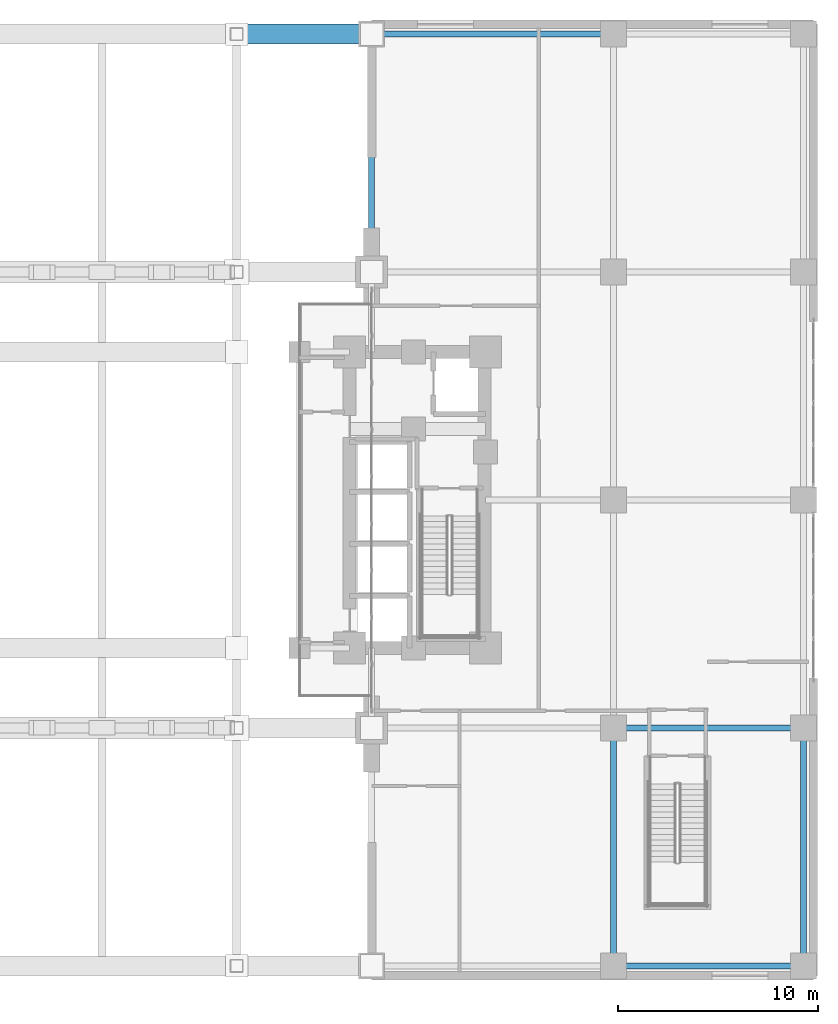
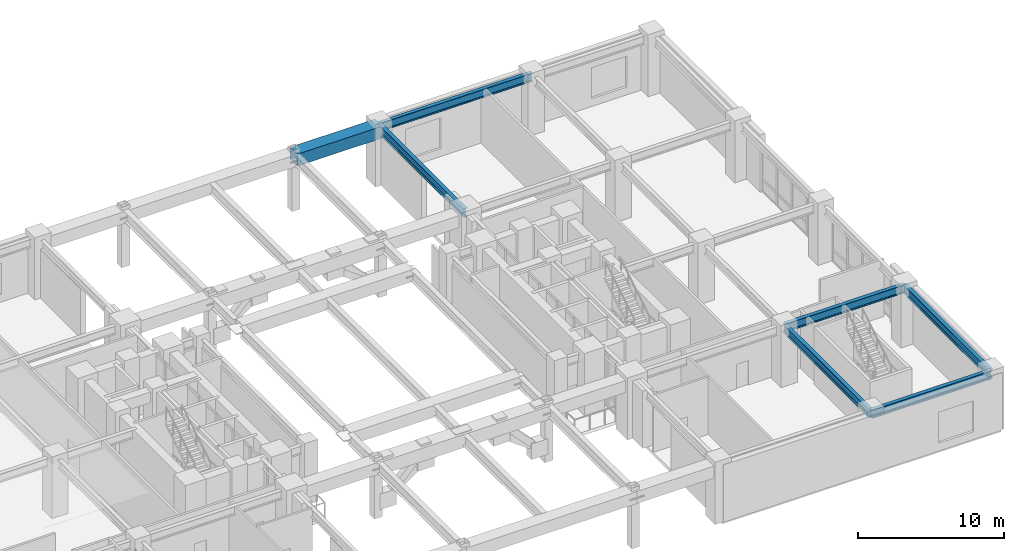
# One storey, part 13 of 26: 7 beams.
"""IFC4 building model written with IfcOpenShell, lengths in metres."""

from ifc_helpers import new_model, si_unit, direction, frame, origin, origin_2d, place, context, subcontext, project, spatial, hollow_rectangle, i_section, extrude, material, material_profile, profile_set, type_object, element, save


model = new_model("IFC4")

# Units and contexts
model_context = context("Model", 3, precision=1e-05, world=origin(), true_north=direction((0.0, 1.0)))
body_context = subcontext(model_context, "Body", "Model", "MODEL_VIEW")
ifc_project = project(units=[si_unit("LENGTHUNIT", "METRE"), si_unit("AREAUNIT", "SQUARE_METRE"), si_unit("VOLUMEUNIT", "CUBIC_METRE"), si_unit("PLANEANGLEUNIT", "RADIAN"), si_unit("MASSUNIT", "GRAM", prefix="KILO")], contexts=[model_context])

# Site, building, storey
site_placement = place(None, origin())
site = spatial("IfcSite", under=ifc_project, at=site_placement, CompositionType="ELEMENT")
building_placement = place(site_placement, origin())
building = spatial("IfcBuilding", under=site, at=building_placement, Name="Voryun Gate Residences", CompositionType="ELEMENT")
storey_placement = place(building_placement, frame((0.0, 0.0, 15.60009765625)))
storey = spatial("IfcBuildingStorey", under=building, at=storey_placement, Name="L03", CompositionType="ELEMENT", Elevation=15.60009765625)

# Beams
ifc_material_1 = material(Name="Steel SM420", Category="steel")
ifc_material_profile_1 = material_profile(ifc_material_1, hollow_rectangle(XDim=1.0, YDim=1.0, WallThickness=0.031982421875, at=origin_2d()), Name="BOX-1000x1000x32")
ifc_profile_set_1 = profile_set([ifc_material_profile_1], Name="Steel SM420")
beam_type_1 = type_object("IfcBeamType", Name="BM_ARCH_TIE", PredefinedType="USERDEFINED", material=ifc_profile_set_1)
beam_1_placement = place(storey_placement, frame((6.75, 23.300048828125, 4.2998046875), z_axis=(1.0, 0.0, 0.0), x_axis=(0.0, 1.0, 0.0)))
element("IfcBeam", 1, at=beam_1_placement, inside=storey, type_object=beam_type_1, Name="BM-L03-ARCH-EDGE-+23.3-2", ObjectType="GIRDER", PredefinedType="USERDEFINED", context=body_context, shape_type="SweptSolid", body=[
    extrude(hollow_rectangle(XDim=1.0, YDim=1.0, WallThickness=0.031982421875, at=origin_2d()), origin(), (0.0, 0.0, 1.0), 6.75),
])
ifc_material_2 = material(Name="Steel SM355", Category="steel")
ifc_material_profile_2 = material_profile(ifc_material_2, i_section(OverallWidth=0.300048828125, OverallDepth=0.699951171875, WebThickness=0.012939453125, FlangeThickness=0.02392578125, FilletRadius=0.01806640625, at=origin_2d()), Name="H-700x300x13x24")
ifc_profile_set_2 = profile_set([ifc_material_profile_2], Name="Steel SM355")
beam_type_2 = type_object("IfcBeamType", Name="BM_GIRD_700", PredefinedType="USERDEFINED", material=ifc_profile_set_2)
for number, where, z_axis, x_axis, name in (
    (2, (25.60009765625, -23.300048828125, 4.449951171875), (1.0, 0.0, 0.0), (0.0, 1.0, 0.0), "BM-L03-PEX--23.3-1"),
    (3, (25.60009765625, -11.39990234375, 4.449951171875), (1.0, 0.0, 0.0), (0.0, 1.0, 0.0), "BM-L03-PEX--11.4-1"),
):
    element("IfcBeam", number, at=place(storey_placement, frame(where, z_axis=z_axis, x_axis=x_axis)), inside=storey, type_object=beam_type_2, Name=name, ObjectType="GIRDER", PredefinedType="USERDEFINED", context=body_context, shape_type="SweptSolid", body=[
        extrude(i_section(OverallWidth=0.300048828125, OverallDepth=0.699951171875, WebThickness=0.012939453125, FlangeThickness=0.02392578125, FilletRadius=0.01806640625, at=origin_2d()), origin(), (0.0, 0.0, 1.0), 9.5),
    ])
beam_2_placement = place(storey_placement, frame((13.5, 23.300048828125, 4.449951171875), z_axis=(1.0, 0.0, 0.0), x_axis=(0.0, 1.0, 0.0)))
element("IfcBeam", 4, at=beam_2_placement, inside=storey, type_object=beam_type_2, Name="BM-L03-PEX-+23.3-0", ObjectType="GIRDER", PredefinedType="USERDEFINED", context=body_context, shape_type="SweptSolid", body=[
    extrude(i_section(OverallWidth=0.300048828125, OverallDepth=0.699951171875, WebThickness=0.012939453125, FlangeThickness=0.02392578125, FilletRadius=0.01806640625, at=origin_2d()), origin(), (0.0, 0.0, 1.0), 12.10009765625),
])
for number, where, z_axis, x_axis, name in (
    (5, (13.5, 11.39990234375, 4.449951171875), (0.0, 1.0, 0.0), (-1.0, 0.0, 0.0), "BM-L03-PEYA-+11.4"),
    (6, (25.60009765625, -23.300048828125, 4.449951171875), (0.0, 1.0, 0.0), (-1.0, 0.0, 0.0), "BM-L03-PEY-+25.6-0"),
    (7, (35.10009765625, -23.300048828125, 4.449951171875), (0.0, 1.0, 0.0), (-1.0, 0.0, 0.0), "BM-L03-PEY-+35.1-0"),
):
    element("IfcBeam", number, at=place(storey_placement, frame(where, z_axis=z_axis, x_axis=x_axis)), inside=storey, type_object=beam_type_2, Name=name, ObjectType="GIRDER", PredefinedType="USERDEFINED", context=body_context, shape_type="SweptSolid", body=[
        extrude(i_section(OverallWidth=0.300048828125, OverallDepth=0.699951171875, WebThickness=0.012939453125, FlangeThickness=0.02392578125, FilletRadius=0.01806640625, at=origin_2d()), origin(), (0.0, 0.0, 1.0), 11.900146484375),
    ])

save(model, "model.ifc")
